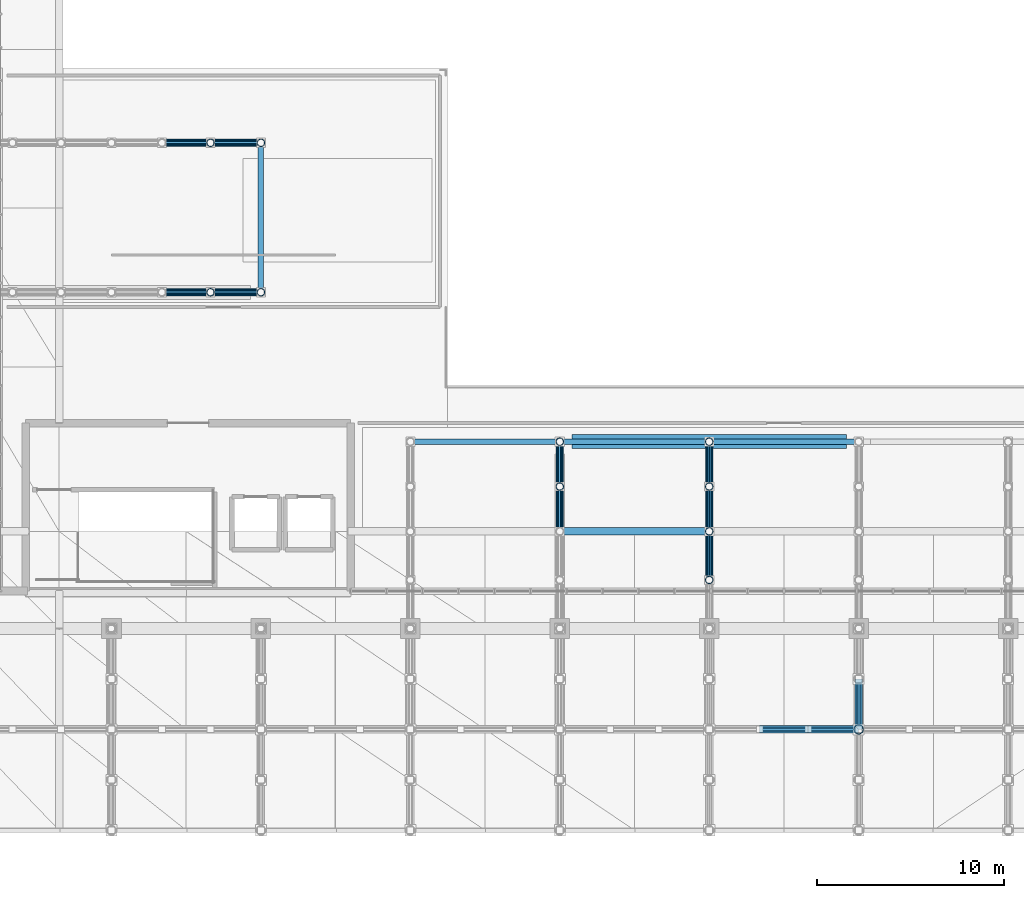
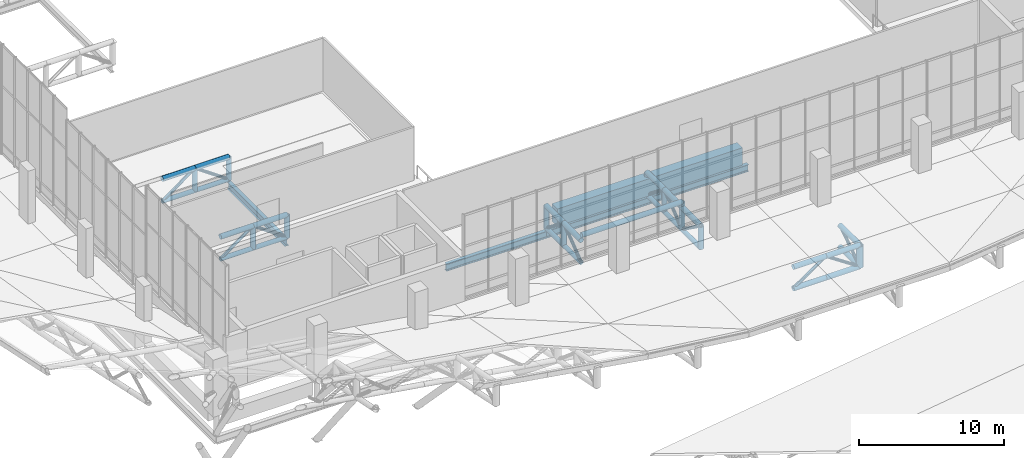
# One storey, part 28 of 137: 48 members, 4 beams.
"""IFC4 building model written with IfcOpenShell, lengths in metres."""

from ifc_helpers import new_model, si_unit, direction, frame, origin, origin_2d, place, context, subcontext, project, spatial, rectangle, hollow_circle, i_section, extrude, material, material_profile, profile_set, type_object, element, save


model = new_model("IFC4")

# Units and contexts
model_context = context("Model", 3, precision=1e-05, world=origin(), true_north=direction((0.0, 1.0)))
body_context = subcontext(model_context, "Body", "Model", "MODEL_VIEW")
ifc_project = project(units=[si_unit("LENGTHUNIT", "METRE"), si_unit("AREAUNIT", "SQUARE_METRE"), si_unit("VOLUMEUNIT", "CUBIC_METRE"), si_unit("PLANEANGLEUNIT", "RADIAN"), si_unit("MASSUNIT", "GRAM", prefix="KILO")], contexts=[model_context])

# Site, building, storey
site_placement = place(None, origin())
site = spatial("IfcSite", under=ifc_project, at=site_placement, CompositionType="ELEMENT")
building_placement = place(site_placement, origin())
building = spatial("IfcBuilding", under=site, at=building_placement, Name="Khorjan Park Terminus", CompositionType="ELEMENT")
storey_placement = place(building_placement, frame((0.0, 0.0, 11.4)))
storey = spatial("IfcBuildingStorey", under=building, at=storey_placement, Name="L02", CompositionType="ELEMENT", Elevation=11.4)

# Beams
ifc_material_1 = material(Name="Steel S355", Category="steel")
ifc_material_profile_1 = material_profile(ifc_material_1, i_section(OverallWidth=0.3, OverallDepth=0.59, WebThickness=0.013, FlangeThickness=0.025, FilletRadius=0.027, at=origin_2d()), Name="HEA 600")
ifc_profile_set_1 = profile_set([ifc_material_profile_1], Name="Steel S355")
beam_type_1 = type_object("IfcBeamType", Name="BM-HEA600", PredefinedType="BEAM", material=ifc_profile_set_1)
beam_1_placement = place(storey_placement, frame((72.0, 36.0, -2.395), z_axis=(1.0, 0.0, 0.0), x_axis=(0.0, 1.0, 0.0)))
element("IfcBeam", 1, at=beam_1_placement, inside=storey, type_object=beam_type_1, Name="Lower shell truss support girder SB-A60 (X23)", PredefinedType="BEAM", context=body_context, shape_type="SweptSolid", body=[
    extrude(i_section(OverallWidth=0.3, OverallDepth=0.59, WebThickness=0.013, FlangeThickness=0.025, FilletRadius=0.027, at=origin_2d()), origin(), (0.0, 0.0, 1.0), 8.0),
])
beam_2_placement = place(storey_placement, frame((80.0, 36.0, -2.395), z_axis=(1.0, 0.0, 0.0), x_axis=(0.0, 1.0, 0.0)))
element("IfcBeam", 2, at=beam_2_placement, inside=storey, type_object=beam_type_1, Name="Lower shell truss support girder SB-A60 (X24)", PredefinedType="BEAM", context=body_context, shape_type="SweptSolid", body=[
    extrude(i_section(OverallWidth=0.3, OverallDepth=0.59, WebThickness=0.013, FlangeThickness=0.025, FilletRadius=0.027, at=origin_2d()), origin(), (0.0, 0.0, 1.0), 16.0),
])
beam_3_placement = place(storey_placement, frame((64.0, 44.0, -2.395), z_axis=(0.0, 1.0, 0.0), x_axis=(-1.0, 0.0, 0.0)))
element("IfcBeam", 3, at=beam_3_placement, inside=storey, type_object=beam_type_1, Name="Lower shell truss support girder SB-A60 (Y46)", PredefinedType="BEAM", context=body_context, shape_type="SweptSolid", body=[
    extrude(i_section(OverallWidth=0.3, OverallDepth=0.59, WebThickness=0.013, FlangeThickness=0.025, FilletRadius=0.027, at=origin_2d()), origin(), (0.0, 0.0, 1.0), 8.0),
])
ifc_material_2 = material(Name="Concrete C50/60", Category="concrete")
ifc_material_profile_2 = material_profile(ifc_material_2, rectangle(XDim=0.75, YDim=1.45, at=origin_2d()), Name="RC 750x1450")
ifc_profile_set_2 = profile_set([ifc_material_profile_2], Name="Concrete C50/60")
beam_type_2 = type_object("IfcBeamType", Name="BM-RC750x1450", PredefinedType="BEAM", material=ifc_profile_set_2)
beam_4_placement = place(storey_placement, frame((80.645, 36.0, -1.065), z_axis=(1.0, 0.0, 0.0), x_axis=(0.0, 1.0, 0.0)))
element("IfcBeam", 4, at=beam_4_placement, inside=storey, type_object=beam_type_2, Name="Primary floor girder GB-14 (L02)", PredefinedType="BEAM", context=body_context, shape_type="SweptSolid", body=[
    extrude(rectangle(XDim=0.75, YDim=1.45, at=origin_2d()), origin(), (0.0, 0.0, 1.0), 14.71),
])

# Members
ifc_material_profile_3 = material_profile(ifc_material_1, hollow_circle(Radius=0.1222, WallThickness=0.0125, at=origin_2d()), Name="CHS 244.5x12.5")
ifc_profile_set_3 = profile_set([ifc_material_profile_3], Name="Steel S355")
member_type_1 = type_object("IfcMemberType", Name="MB-BR-245", PredefinedType="BRACE", material=ifc_profile_set_3)
for number, where, z_axis, x_axis, name in (
    (5, (80.0, 31.2, -1.92), (0.0, 0.788820985003, 0.614623017482), (-1.0, 0.0, 0.0), "Lower shell cantilever truss diagonal (5S)"),
    (6, (80.0, 33.6, -0.05), (0.0, 0.788820985003, -0.614623017482), (-1.0, 0.0, 0.0), "Lower shell cantilever truss diagonal (5S)"),
):
    element("IfcMember", number, at=place(storey_placement, frame(where, z_axis=z_axis, x_axis=x_axis)), inside=storey, type_object=member_type_1, Name=name, PredefinedType="BRACE", context=body_context, shape_type="SweptSolid", body=[
        extrude(hollow_circle(Radius=0.1222, WallThickness=0.0125, at=origin_2d()), origin(), (0.0, 0.0, 1.0), 3.0425),
    ])
member_1_placement = place(storey_placement, frame((88.0, 28.6, -0.05), z_axis=(0.0, 0.811830357573, -0.583893372562), x_axis=(-1.0, 0.0, 0.0)))
element("IfcMember", 7, at=member_1_placement, inside=storey, type_object=member_type_1, Name="Lower shell cantilever truss diagonal (6S)", PredefinedType="BRACE", context=body_context, shape_type="SweptSolid", body=[
    extrude(hollow_circle(Radius=0.1222, WallThickness=0.0125, at=origin_2d()), origin(), (0.0, 0.0, 1.0), 3.2026),
])
for number, where, z_axis, x_axis, name in (
    (8, (88.0, 31.2, -1.92), (0.0, 0.788820985003, 0.614623017482), (-1.0, 0.0, 0.0), "Lower shell cantilever truss diagonal (6S)"),
    (9, (88.0, 33.6, -0.05), (0.0, 0.788820985003, -0.614623017482), (-1.0, 0.0, 0.0), "Lower shell cantilever truss diagonal (6S)"),
):
    element("IfcMember", number, at=place(storey_placement, frame(where, z_axis=z_axis, x_axis=x_axis)), inside=storey, type_object=member_type_1, Name=name, PredefinedType="BRACE", context=body_context, shape_type="SweptSolid", body=[
        extrude(hollow_circle(Radius=0.1222, WallThickness=0.0125, at=origin_2d()), origin(), (0.0, 0.0, 1.0), 3.0425),
    ])
member_2_placement = place(storey_placement, frame((58.7, 44.0, -1.92), z_axis=(0.811830357573, 0.0, 0.583893372562), x_axis=(0.0, 1.0, 0.0)))
element("IfcMember", 10, at=member_2_placement, inside=storey, type_object=member_type_1, Name="Lower shell W/E truss diagonal (W1)", PredefinedType="BRACE", context=body_context, shape_type="SweptSolid", body=[
    extrude(hollow_circle(Radius=0.1222, WallThickness=0.0125, at=origin_2d()), origin(), (0.0, 0.0, 1.0), 3.2026),
])
member_3_placement = place(storey_placement, frame((61.3, 44.0, -0.05), z_axis=(0.822082565391, 0.0, -0.569368295289), x_axis=(0.0, 1.0, 0.0)))
element("IfcMember", 11, at=member_3_placement, inside=storey, type_object=member_type_1, Name="Lower shell W/E truss diagonal (W1)", PredefinedType="BRACE", context=body_context, shape_type="SweptSolid", body=[
    extrude(hollow_circle(Radius=0.1222, WallThickness=0.0125, at=origin_2d()), origin(), (0.0, 0.0, 1.0), 3.2843),
])
member_4_placement = place(storey_placement, frame((58.7, 52.0, -1.92), z_axis=(0.811830357573, 0.0, 0.583893372562), x_axis=(0.0, 1.0, 0.0)))
element("IfcMember", 12, at=member_4_placement, inside=storey, type_object=member_type_1, Name="Lower shell W/E truss diagonal (W2)", PredefinedType="BRACE", context=body_context, shape_type="SweptSolid", body=[
    extrude(hollow_circle(Radius=0.1222, WallThickness=0.0125, at=origin_2d()), origin(), (0.0, 0.0, 1.0), 3.2026),
])
member_5_placement = place(storey_placement, frame((61.3, 52.0, -0.05), z_axis=(0.822082565391, 0.0, -0.569368295289), x_axis=(0.0, 1.0, 0.0)))
element("IfcMember", 13, at=member_5_placement, inside=storey, type_object=member_type_1, Name="Lower shell W/E truss diagonal (W2)", PredefinedType="BRACE", context=body_context, shape_type="SweptSolid", body=[
    extrude(hollow_circle(Radius=0.1222, WallThickness=0.0125, at=origin_2d()), origin(), (0.0, 0.0, 1.0), 3.2843),
])
ifc_material_profile_4 = material_profile(ifc_material_1, hollow_circle(Radius=0.1222, WallThickness=0.0125, at=origin_2d()), Name="CHS 244.5x12.5")
ifc_profile_set_4 = profile_set([ifc_material_profile_4], Name="Steel S355")
member_type_2 = type_object("IfcMemberType", Name="MB-BRE-245", PredefinedType="BRACE", material=ifc_profile_set_4)
member_6_placement = place(storey_placement, frame((96.0, 20.6, -1.408), z_axis=(0.0, 0.832050294338, 0.554700196225), x_axis=(-1.0, 0.0, 0.0)))
element("IfcMember", 14, at=member_6_placement, inside=storey, type_object=member_type_2, Name="Lower shell cantilever truss diagonal (7S)", PredefinedType="BRACE", context=body_context, shape_type="SweptSolid", body=[
    extrude(hollow_circle(Radius=0.1222, WallThickness=0.0125, at=origin_2d()), origin(), (0.0, 0.0, 1.0), 3.245),
])
member_7_placement = place(storey_placement, frame((90.7, 20.6, -1.408), z_axis=(0.822192191644, 0.0, 0.56920997883), x_axis=(0.0, 1.0, 0.0)))
element("IfcMember", 15, at=member_7_placement, inside=storey, type_object=member_type_2, Name="Lower shell mid-ring diagonal (S21)", PredefinedType="BRACE", context=body_context, shape_type="SweptSolid", body=[
    extrude(hollow_circle(Radius=0.1222, WallThickness=0.0125, at=origin_2d()), origin(), (0.0, 0.0, 1.0), 3.1623),
])
member_8_placement = place(storey_placement, frame((93.3, 20.6, 0.392), z_axis=(0.832050294338, 0.0, -0.554700196225), x_axis=(0.0, 1.0, 0.0)))
element("IfcMember", 16, at=member_8_placement, inside=storey, type_object=member_type_2, Name="Lower shell mid-ring diagonal (S22)", PredefinedType="BRACE", context=body_context, shape_type="SweptSolid", body=[
    extrude(hollow_circle(Radius=0.1222, WallThickness=0.0125, at=origin_2d()), origin(), (0.0, 0.0, 1.0), 3.245),
])
ifc_material_profile_5 = material_profile(ifc_material_1, hollow_circle(Radius=0.1778, WallThickness=0.016, at=origin_2d()), Name="CHS 355.6x16")
ifc_profile_set_5 = profile_set([ifc_material_profile_5], Name="Steel S355")
member_type_3 = type_object("IfcMemberType", Name="MB-CH-356", PredefinedType="CHORD", material=ifc_profile_set_5)
for number, where, z_axis, x_axis, name in (
    (17, (80.0, 31.2, -1.92), (0.0, 1.0, 0.0), (-1.0, 0.0, 0.0), "Lower shell cantilever truss bottom chord (5S)"),
    (18, (80.0, 33.6, -1.92), (0.0, 1.0, 0.0), (-1.0, 0.0, 0.0), "Lower shell cantilever truss bottom chord (5S)"),
):
    element("IfcMember", number, at=place(storey_placement, frame(where, z_axis=z_axis, x_axis=x_axis)), inside=storey, type_object=member_type_3, Name=name, PredefinedType="CHORD", context=body_context, shape_type="SweptSolid", body=[
        extrude(hollow_circle(Radius=0.1778, WallThickness=0.016, at=origin_2d()), origin(), (0.0, 0.0, 1.0), 2.4),
    ])
member_9_placement = place(storey_placement, frame((88.0, 28.6, -1.92), z_axis=(0.0, 1.0, 0.0), x_axis=(-1.0, 0.0, 0.0)))
element("IfcMember", 19, at=member_9_placement, inside=storey, type_object=member_type_3, Name="Lower shell cantilever truss bottom chord (6S)", PredefinedType="CHORD", context=body_context, shape_type="SweptSolid", body=[
    extrude(hollow_circle(Radius=0.1778, WallThickness=0.016, at=origin_2d()), origin(), (0.0, 0.0, 1.0), 2.6),
])
for number, where, z_axis, x_axis, name in (
    (20, (88.0, 31.2, -1.92), (0.0, 1.0, 0.0), (-1.0, 0.0, 0.0), "Lower shell cantilever truss bottom chord (6S)"),
    (21, (88.0, 33.6, -1.92), (0.0, 1.0, 0.0), (-1.0, 0.0, 0.0), "Lower shell cantilever truss bottom chord (6S)"),
):
    element("IfcMember", number, at=place(storey_placement, frame(where, z_axis=z_axis, x_axis=x_axis)), inside=storey, type_object=member_type_3, Name=name, PredefinedType="CHORD", context=body_context, shape_type="SweptSolid", body=[
        extrude(hollow_circle(Radius=0.1778, WallThickness=0.016, at=origin_2d()), origin(), (0.0, 0.0, 1.0), 2.4),
    ])
member_10_placement = place(storey_placement, frame((58.7, 44.0, -1.92), z_axis=(1.0, 0.0, 0.0), x_axis=(0.0, 1.0, 0.0)))
element("IfcMember", 22, at=member_10_placement, inside=storey, type_object=member_type_3, Name="Lower shell W/E truss bottom chord (W1)", PredefinedType="CHORD", context=body_context, shape_type="SweptSolid", body=[
    extrude(hollow_circle(Radius=0.1778, WallThickness=0.016, at=origin_2d()), origin(), (0.0, 0.0, 1.0), 2.6),
])
member_11_placement = place(storey_placement, frame((61.3, 44.0, -1.92), z_axis=(1.0, 0.0, 0.0), x_axis=(0.0, 1.0, 0.0)))
element("IfcMember", 23, at=member_11_placement, inside=storey, type_object=member_type_3, Name="Lower shell W/E truss bottom chord (W1)", PredefinedType="CHORD", context=body_context, shape_type="SweptSolid", body=[
    extrude(hollow_circle(Radius=0.1778, WallThickness=0.016, at=origin_2d()), origin(), (0.0, 0.0, 1.0), 2.7),
])
member_12_placement = place(storey_placement, frame((58.7, 52.0, -1.92), z_axis=(1.0, 0.0, 0.0), x_axis=(0.0, 1.0, 0.0)))
element("IfcMember", 24, at=member_12_placement, inside=storey, type_object=member_type_3, Name="Lower shell W/E truss bottom chord (W2)", PredefinedType="CHORD", context=body_context, shape_type="SweptSolid", body=[
    extrude(hollow_circle(Radius=0.1778, WallThickness=0.016, at=origin_2d()), origin(), (0.0, 0.0, 1.0), 2.6),
])
member_13_placement = place(storey_placement, frame((61.3, 52.0, -1.92), z_axis=(1.0, 0.0, 0.0), x_axis=(0.0, 1.0, 0.0)))
element("IfcMember", 25, at=member_13_placement, inside=storey, type_object=member_type_3, Name="Lower shell W/E truss bottom chord (W2)", PredefinedType="CHORD", context=body_context, shape_type="SweptSolid", body=[
    extrude(hollow_circle(Radius=0.1778, WallThickness=0.016, at=origin_2d()), origin(), (0.0, 0.0, 1.0), 2.7),
])
ifc_material_profile_6 = material_profile(ifc_material_1, hollow_circle(Radius=0.2032, WallThickness=0.016, at=origin_2d()), Name="CHS 406.4x16")
ifc_profile_set_6 = profile_set([ifc_material_profile_6], Name="Steel S355")
member_type_4 = type_object("IfcMemberType", Name="MB-CH-406", PredefinedType="CHORD", material=ifc_profile_set_6)
member_14_placement = place(storey_placement, frame((80.0, 31.2, 0.392), z_axis=(1.0, 0.0, 0.0), x_axis=(0.0, 1.0, 0.0)))
element("IfcMember", 26, at=member_14_placement, inside=storey, type_object=member_type_4, Name="Lower wrapping shell rim chord (79)", PredefinedType="CHORD", context=body_context, shape_type="SweptSolid", body=[
    extrude(hollow_circle(Radius=0.2032, WallThickness=0.016, at=origin_2d()), origin(), (0.0, 0.0, 1.0), 8.0),
])
for number, where, z_axis, x_axis, name in (
    (27, (80.0, 31.2, -0.05), (0.0, 1.0, 0.0), (-1.0, 0.0, 0.0), "Lower shell cantilever truss top chord (5S)"),
    (28, (80.0, 33.6, -0.05), (0.0, 1.0, 0.0), (-1.0, 0.0, 0.0), "Lower shell cantilever truss top chord (5S)"),
):
    element("IfcMember", number, at=place(storey_placement, frame(where, z_axis=z_axis, x_axis=x_axis)), inside=storey, type_object=member_type_4, Name=name, PredefinedType="CHORD", context=body_context, shape_type="SweptSolid", body=[
        extrude(hollow_circle(Radius=0.2032, WallThickness=0.016, at=origin_2d()), origin(), (0.0, 0.0, 1.0), 2.4),
    ])
member_15_placement = place(storey_placement, frame((88.0, 28.6, -0.05), z_axis=(0.0, 1.0, 0.0), x_axis=(-1.0, 0.0, 0.0)))
element("IfcMember", 29, at=member_15_placement, inside=storey, type_object=member_type_4, Name="Lower shell cantilever truss top chord (6S)", PredefinedType="CHORD", context=body_context, shape_type="SweptSolid", body=[
    extrude(hollow_circle(Radius=0.2032, WallThickness=0.016, at=origin_2d()), origin(), (0.0, 0.0, 1.0), 2.6),
])
for number, where, z_axis, x_axis, name in (
    (30, (88.0, 31.2, -0.05), (0.0, 1.0, 0.0), (-1.0, 0.0, 0.0), "Lower shell cantilever truss top chord (6S)"),
    (31, (88.0, 33.6, -0.05), (0.0, 1.0, 0.0), (-1.0, 0.0, 0.0), "Lower shell cantilever truss top chord (6S)"),
):
    element("IfcMember", number, at=place(storey_placement, frame(where, z_axis=z_axis, x_axis=x_axis)), inside=storey, type_object=member_type_4, Name=name, PredefinedType="CHORD", context=body_context, shape_type="SweptSolid", body=[
        extrude(hollow_circle(Radius=0.2032, WallThickness=0.016, at=origin_2d()), origin(), (0.0, 0.0, 1.0), 2.4),
    ])
member_16_placement = place(storey_placement, frame((58.7, 44.0, -0.05), z_axis=(1.0, 0.0, 0.0), x_axis=(0.0, 1.0, 0.0)))
element("IfcMember", 32, at=member_16_placement, inside=storey, type_object=member_type_4, Name="Lower shell W/E truss top chord (W1)", PredefinedType="CHORD", context=body_context, shape_type="SweptSolid", body=[
    extrude(hollow_circle(Radius=0.2032, WallThickness=0.016, at=origin_2d()), origin(), (0.0, 0.0, 1.0), 2.6),
])
member_17_placement = place(storey_placement, frame((61.3, 44.0, -0.05), z_axis=(1.0, 0.0, 0.0), x_axis=(0.0, 1.0, 0.0)))
element("IfcMember", 33, at=member_17_placement, inside=storey, type_object=member_type_4, Name="Lower shell W/E truss top chord (W1)", PredefinedType="CHORD", context=body_context, shape_type="SweptSolid", body=[
    extrude(hollow_circle(Radius=0.2032, WallThickness=0.016, at=origin_2d()), origin(), (0.0, 0.0, 1.0), 2.7),
])
member_18_placement = place(storey_placement, frame((58.7, 52.0, -0.05), z_axis=(1.0, 0.0, 0.0), x_axis=(0.0, 1.0, 0.0)))
element("IfcMember", 34, at=member_18_placement, inside=storey, type_object=member_type_4, Name="Lower shell W/E truss top chord (W2)", PredefinedType="CHORD", context=body_context, shape_type="SweptSolid", body=[
    extrude(hollow_circle(Radius=0.2032, WallThickness=0.016, at=origin_2d()), origin(), (0.0, 0.0, 1.0), 2.6),
])
member_19_placement = place(storey_placement, frame((61.3, 52.0, -0.05), z_axis=(1.0, 0.0, 0.0), x_axis=(0.0, 1.0, 0.0)))
element("IfcMember", 35, at=member_19_placement, inside=storey, type_object=member_type_4, Name="Lower shell W/E truss top chord (W2)", PredefinedType="CHORD", context=body_context, shape_type="SweptSolid", body=[
    extrude(hollow_circle(Radius=0.2032, WallThickness=0.016, at=origin_2d()), origin(), (0.0, 0.0, 1.0), 2.7),
])
ifc_material_profile_7 = material_profile(ifc_material_1, hollow_circle(Radius=0.2032, WallThickness=0.016, at=origin_2d()), Name="CHS 406.4x16")
ifc_profile_set_7 = profile_set([ifc_material_profile_7], Name="Steel S355")
member_type_5 = type_object("IfcMemberType", Name="MB-CHE-406", PredefinedType="CHORD", material=ifc_profile_set_7)
for number, where, z_axis, x_axis, name in (
    (36, (96.0, 20.6, 0.392), (0.0, 1.0, 0.0), (-1.0, 0.0, 0.0), "Lower shell cantilever truss top chord (7S)"),
    (37, (96.0, 20.6, -1.408), (0.0, 1.0, 0.0), (-1.0, 0.0, 0.0), "Lower shell cantilever truss bottom chord (7S)"),
):
    element("IfcMember", number, at=place(storey_placement, frame(where, z_axis=z_axis, x_axis=x_axis)), inside=storey, type_object=member_type_5, Name=name, PredefinedType="CHORD", context=body_context, shape_type="SweptSolid", body=[
        extrude(hollow_circle(Radius=0.2032, WallThickness=0.016, at=origin_2d()), origin(), (0.0, 0.0, 1.0), 2.7),
    ])
for number, where, z_axis, x_axis, name in (
    (38, (90.7, 20.6, 0.392), (1.0, 0.0, 0.0), (0.0, 1.0, 0.0), "Lower shell mid-ring top chord (S21)"),
    (39, (90.7, 20.6, -1.408), (1.0, 0.0, 0.0), (0.0, 1.0, 0.0), "Lower shell mid-ring bottom chord (S21)"),
):
    element("IfcMember", number, at=place(storey_placement, frame(where, z_axis=z_axis, x_axis=x_axis)), inside=storey, type_object=member_type_5, Name=name, PredefinedType="CHORD", context=body_context, shape_type="SweptSolid", body=[
        extrude(hollow_circle(Radius=0.2032, WallThickness=0.016, at=origin_2d()), origin(), (0.0, 0.0, 1.0), 2.6),
    ])
for number, where, z_axis, x_axis, name in (
    (40, (93.3, 20.6, 0.392), (1.0, 0.0, 0.0), (0.0, 1.0, 0.0), "Lower shell mid-ring top chord (S22)"),
    (41, (93.3, 20.6, -1.408), (1.0, 0.0, 0.0), (0.0, 1.0, 0.0), "Lower shell mid-ring bottom chord (S22)"),
):
    element("IfcMember", number, at=place(storey_placement, frame(where, z_axis=z_axis, x_axis=x_axis)), inside=storey, type_object=member_type_5, Name=name, PredefinedType="CHORD", context=body_context, shape_type="SweptSolid", body=[
        extrude(hollow_circle(Radius=0.2032, WallThickness=0.016, at=origin_2d()), origin(), (0.0, 0.0, 1.0), 2.7),
    ])
ifc_material_profile_8 = material_profile(ifc_material_1, hollow_circle(Radius=0.2032, WallThickness=0.016, at=origin_2d()), Name="CHS 406.4x16")
ifc_profile_set_8 = profile_set([ifc_material_profile_8], Name="Steel S355")
member_type_6 = type_object("IfcMemberType", Name="MB-ST-406", PredefinedType="STRUT", material=ifc_profile_set_8)
for number, where, z_axis, x_axis, name in (
    (42, (80.0, 33.6, -1.92), (0.0, 0.0, 1.0), (1.0, 0.0, 0.0), "Lower shell cantilever truss post (5S)"),
    (43, (80.0, 36.0, -1.92), (0.0, 0.0, 1.0), (1.0, 0.0, 0.0), "Lower shell cantilever truss post (5S)"),
    (44, (88.0, 28.6, -1.92), (0.0, 0.0, 1.0), (1.0, 0.0, 0.0), "Lower shell cantilever truss post (6S)"),
):
    element("IfcMember", number, at=place(storey_placement, frame(where, z_axis=z_axis, x_axis=x_axis)), inside=storey, type_object=member_type_6, Name=name, PredefinedType="STRUT", context=body_context, shape_type="SweptSolid", body=[
        extrude(hollow_circle(Radius=0.2032, WallThickness=0.016, at=origin_2d()), origin(), (0.0, 0.0, 1.0), 1.87),
    ])
member_20_placement = place(storey_placement, frame((88.0, 31.2, -1.92), z_axis=(0.0, 0.0, 1.0), x_axis=(1.0, 0.0, 0.0)))
element("IfcMember", 45, at=member_20_placement, inside=storey, type_object=member_type_6, Name="Lower shell cantilever truss post (6S)", PredefinedType="STRUT", context=body_context, shape_type="SweptSolid", body=[
    extrude(hollow_circle(Radius=0.2032, WallThickness=0.016, at=origin_2d()), origin(), (0.0, 0.0, 1.0), 2.312),
])
for number, where, z_axis, x_axis, name in (
    (46, (88.0, 33.6, -1.92), (0.0, 0.0, 1.0), (1.0, 0.0, 0.0), "Lower shell cantilever truss post (6S)"),
    (47, (88.0, 36.0, -1.92), (0.0, 0.0, 1.0), (1.0, 0.0, 0.0), "Lower shell cantilever truss post (6S)"),
    (48, (61.3, 44.0, -1.92), (0.0, 0.0, 1.0), (1.0, 0.0, 0.0), "Lower shell W/E truss post (W1)"),
    (49, (64.0, 44.0, -1.92), (0.0, 0.0, 1.0), (1.0, 0.0, 0.0), "Lower shell W/E truss post (W1)"),
    (50, (61.3, 52.0, -1.92), (0.0, 0.0, 1.0), (1.0, 0.0, 0.0), "Lower shell W/E truss post (W2)"),
    (51, (64.0, 52.0, -1.92), (0.0, 0.0, 1.0), (1.0, 0.0, 0.0), "Lower shell W/E truss post (W2)"),
):
    element("IfcMember", number, at=place(storey_placement, frame(where, z_axis=z_axis, x_axis=x_axis)), inside=storey, type_object=member_type_6, Name=name, PredefinedType="STRUT", context=body_context, shape_type="SweptSolid", body=[
        extrude(hollow_circle(Radius=0.2032, WallThickness=0.016, at=origin_2d()), origin(), (0.0, 0.0, 1.0), 1.87),
    ])
ifc_material_profile_9 = material_profile(ifc_material_1, hollow_circle(Radius=0.254, WallThickness=0.02, at=origin_2d()), Name="CHS 508x20")
ifc_profile_set_9 = profile_set([ifc_material_profile_9], Name="Steel S355")
member_type_7 = type_object("IfcMemberType", Name="MB-STE-508", PredefinedType="STRUT", material=ifc_profile_set_9)
member_21_placement = place(storey_placement, frame((96.0, 20.6, -1.408), z_axis=(0.0, 0.0, 1.0), x_axis=(1.0, 0.0, 0.0)))
element("IfcMember", 52, at=member_21_placement, inside=storey, type_object=member_type_7, Name="Lower shell cantilever truss post (7S)", PredefinedType="STRUT", context=body_context, shape_type="SweptSolid", body=[
    extrude(hollow_circle(Radius=0.254, WallThickness=0.02, at=origin_2d()), origin(), (0.0, 0.0, 1.0), 1.8),
])

save(model, "model.ifc")
